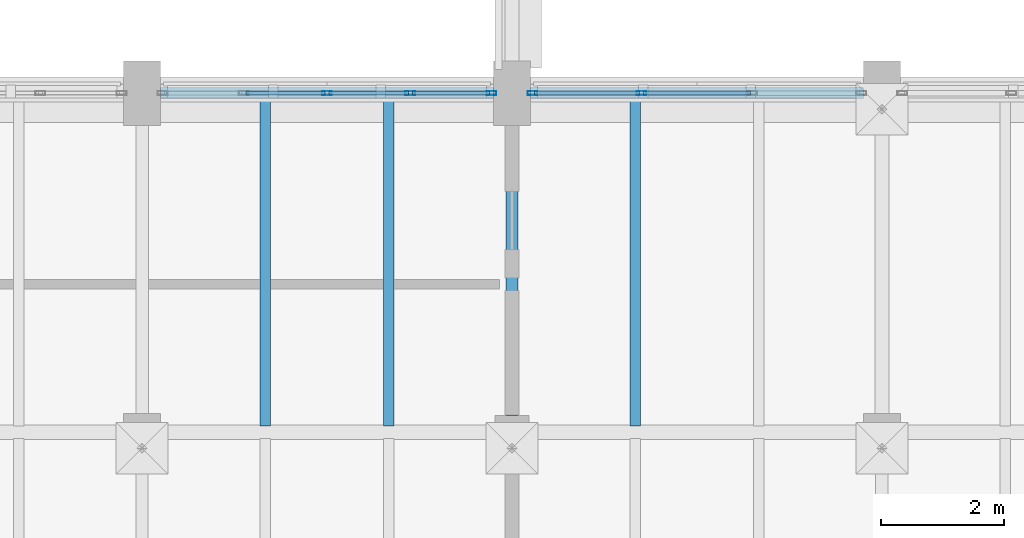
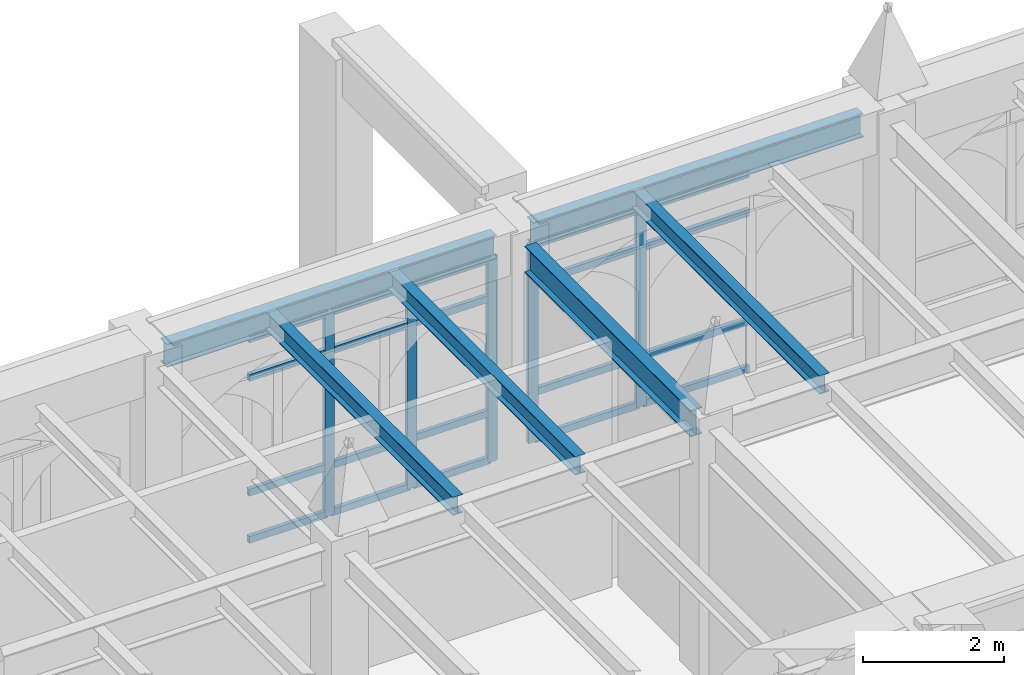
# One storey, part 58 of 143: 25 members, 6 beams, 2 elements without a shape of their own.
"""IFC4 building model written with IfcOpenShell, lengths in metres."""

from ifc_helpers import new_model, si_unit, direction, frame, origin, origin_2d, place, context, subcontext, project, spatial, hollow_rectangle, i_section, extrude, material, layer, layer_set, material_profile, profile_set, type_object, element, aggregate, save


model = new_model("IFC4")

# Units and contexts
model_context = context("Model", 3, precision=1e-05, world=origin(), true_north=direction((0.0, 1.0)))
body_context = subcontext(model_context, "Body", "Model", "MODEL_VIEW")
ifc_project = project(units=[si_unit("LENGTHUNIT", "METRE"), si_unit("AREAUNIT", "SQUARE_METRE"), si_unit("VOLUMEUNIT", "CUBIC_METRE"), si_unit("PLANEANGLEUNIT", "RADIAN"), si_unit("MASSUNIT", "GRAM", prefix="KILO")], contexts=[model_context])

# Site, building, storey
site_placement = place(None, origin())
site = spatial("IfcSite", under=ifc_project, at=site_placement, CompositionType="ELEMENT")
building_placement = place(site_placement, origin())
building = spatial("IfcBuilding", under=site, at=building_placement, Name="Cumevento Cable Car Station", CompositionType="ELEMENT")
storey_placement = place(building_placement, frame((0.0, 0.0, 9.0)))
storey = spatial("IfcBuildingStorey", under=building, at=storey_placement, Name="L03", CompositionType="ELEMENT", Elevation=9.0)

# Curtain wall, members
ifc_material_1 = material(Name="Anodised Bronze Aluminium AW-6063-T6", Category="aluminium")
ifc_layer_1 = layer(ifc_material_1, 0.22607421875)
ifc_layer_set_1 = layer_set([ifc_layer_1], Name="Anodised Bronze Aluminium AW-6063-T6")
curtain_wall_type_1 = type_object("IfcCurtainWallType", Name="Lancet Curtain Wall CW-12 1490", PredefinedType="NOTDEFINED", material=ifc_layer_set_1)
curtain_wall_1_placement = place(storey_placement, origin())
curtain_wall_1 = element("IfcCurtainWall", 1, at=curtain_wall_1_placement, inside=storey, type_object=curtain_wall_type_1, Name="Lancet Curtain Wall CW-12 L03 #107", PredefinedType="NOTDEFINED")
ifc_material_2 = material(Name="Anodised Bronze Aluminium AW-6063-T6", Category="aluminium")
ifc_material_profile_1 = material_profile(ifc_material_2, hollow_rectangle(XDim=0.06494140625, YDim=0.159912109375, WallThickness=0.00390625, at=origin_2d()), Name="ALUM65x160x4")
ifc_profile_set_1 = profile_set([ifc_material_profile_1], Name="Anodised Bronze Aluminium AW-6063-T6")
member_type_1 = type_object("IfcMemberType", Name="Curtain Mullion CWM-01 ALUM65x160x4", PredefinedType="MULLION", material=ifc_profile_set_1)
member_1_placement = place(storey_placement, frame((85.0, 56.5, 0.31005859375), z_axis=(0.0, 0.0, 1.0), x_axis=(0.0, 1.0, 0.0)))
member_1 = element("IfcMember", 2, at=member_1_placement, type_object=member_type_1, Name="CW-12 mullion 3", PredefinedType="MULLION", context=body_context, shape_type="SweptSolid", body=[
    extrude(hollow_rectangle(XDim=0.06494140625, YDim=0.159912109375, WallThickness=0.00390625, at=origin_2d()), origin(), (0.0, 0.0, 1.0), 3.534912109375),
])
member_2_placement = place(storey_placement, frame((86.35009765625, 56.5, 0.31005859375), z_axis=(0.0, 0.0, 1.0), x_axis=(0.0, 1.0, 0.0)))
member_2 = element("IfcMember", 3, at=member_2_placement, type_object=member_type_1, Name="CW-12 mullion 4", PredefinedType="MULLION", context=body_context, shape_type="SweptSolid", body=[
    extrude(hollow_rectangle(XDim=0.06494140625, YDim=0.159912109375, WallThickness=0.00390625, at=origin_2d()), origin(), (0.0, 0.0, 1.0), 3.534912109375),
])
member_3_placement = place(storey_placement, frame((87.66748046875, 56.5, 0.31005859375), z_axis=(0.0, 0.0, 1.0), x_axis=(0.0, 1.0, 0.0)))
member_3 = element("IfcMember", 4, at=member_3_placement, type_object=member_type_1, Name="CW-12 mullion 5", PredefinedType="MULLION", context=body_context, shape_type="SweptSolid", body=[
    extrude(hollow_rectangle(XDim=0.06494140625, YDim=0.159912109375, WallThickness=0.00390625, at=origin_2d()), origin(), (0.0, 0.0, 1.0), 3.534912109375),
])

ifc_material_3 = material(Name="Anodised Bronze Aluminium AW-6063-T6", Category="aluminium")
ifc_layer_2 = layer(ifc_material_3, 0.238037109375)
ifc_layer_set_2 = layer_set([ifc_layer_2], Name="Anodised Bronze Aluminium AW-6063-T6")
curtain_wall_type_2 = type_object("IfcCurtainWallType", Name="Lancet Curtain Wall CW-14 1570", PredefinedType="NOTDEFINED", material=ifc_layer_set_2)
curtain_wall_2_placement = place(storey_placement, origin())
curtain_wall_2 = element("IfcCurtainWall", 5, at=curtain_wall_2_placement, inside=storey, type_object=curtain_wall_type_2, Name="Lancet Curtain Wall CW-14 L03 #109", PredefinedType="NOTDEFINED")
member_4_placement = place(storey_placement, frame((88.33251953125, 56.5, 0.409912109375), z_axis=(0.0, 0.0, 1.0), x_axis=(0.0, 1.0, 0.0)))
member_4 = element("IfcMember", 6, at=member_4_placement, type_object=member_type_1, Name="CW-14 mullion 1", PredefinedType="MULLION", context=body_context, shape_type="SweptSolid", body=[
    extrude(hollow_rectangle(XDim=0.06494140625, YDim=0.159912109375, WallThickness=0.00390625, at=origin_2d()), origin(), (0.0, 0.0, 1.0), 3.43505859375),
])
member_5_placement = place(storey_placement, frame((90.10009765625, 56.5, 0.409912109375), z_axis=(0.0, 0.0, 1.0), x_axis=(0.0, 1.0, 0.0)))
member_5 = element("IfcMember", 7, at=member_5_placement, type_object=member_type_1, Name="CW-14 mullion 2", PredefinedType="MULLION", context=body_context, shape_type="SweptSolid", body=[
    extrude(hollow_rectangle(XDim=0.06494140625, YDim=0.159912109375, WallThickness=0.00390625, at=origin_2d()), origin(), (0.0, 0.0, 1.0), 3.43505859375),
])

# Member
ifc_material_4 = material(Name="Anodised Bronze Aluminium AW-6063-T6", Category="aluminium")
ifc_material_profile_2 = material_profile(ifc_material_4, hollow_rectangle(XDim=0.06494140625, YDim=0.1201171875, WallThickness=0.00390625, at=origin_2d()), Name="ALUT65x120x4")
ifc_profile_set_2 = profile_set([ifc_material_profile_2], Name="Anodised Bronze Aluminium AW-6063-T6")
member_type_2 = type_object("IfcMemberType", Name="Curtain Transom CWT-01 ALUT65x120x4", PredefinedType="USERDEFINED", material=ifc_profile_set_2)
member_6_placement = place(storey_placement, frame((83.6826171875, 56.5, 0.342529296875), z_axis=(1.0, 0.0, 0.0), x_axis=(0.0, 1.0, 0.0)))
member_6 = element("IfcMember", 8, at=member_6_placement, type_object=member_type_2, Name="CW-12 transom 2.1", ObjectType="TRANSOM", PredefinedType="USERDEFINED", context=body_context, shape_type="SweptSolid", body=[
    extrude(hollow_rectangle(XDim=0.06494140625, YDim=0.1201171875, WallThickness=0.00390625, at=origin_2d()), origin(), (0.0, 0.0, 1.0), 1.284912109375),
])

member_7_placement = place(storey_placement, frame((83.6826171875, 56.5, 1.159912109375), z_axis=(1.0, 0.0, 0.0), x_axis=(0.0, 1.0, 0.0)))
member_7 = element("IfcMember", 9, at=member_7_placement, type_object=member_type_2, Name="CW-12 transom 2.2", ObjectType="TRANSOM", PredefinedType="USERDEFINED", context=body_context, shape_type="SweptSolid", body=[
    extrude(hollow_rectangle(XDim=0.06494140625, YDim=0.1201171875, WallThickness=0.00390625, at=origin_2d()), origin(), (0.0, 0.0, 1.0), 1.284912109375),
])

member_8_placement = place(storey_placement, frame((83.6826171875, 56.5, 3.14501953125), z_axis=(1.0, 0.0, 0.0), x_axis=(0.0, 1.0, 0.0)))
member_8 = element("IfcMember", 10, at=member_8_placement, type_object=member_type_2, Name="CW-12 transom 2.3", ObjectType="TRANSOM", PredefinedType="USERDEFINED", context=body_context, shape_type="SweptSolid", body=[
    extrude(hollow_rectangle(XDim=0.06494140625, YDim=0.1201171875, WallThickness=0.00390625, at=origin_2d()), origin(), (0.0, 0.0, 1.0), 1.284912109375),
])

member_9_placement = place(storey_placement, frame((83.6826171875, 56.5, 3.8125), z_axis=(1.0, 0.0, 0.0), x_axis=(0.0, 1.0, 0.0)))
member_9 = element("IfcMember", 11, at=member_9_placement, type_object=member_type_2, Name="CW-12 transom 2.4", ObjectType="TRANSOM", PredefinedType="USERDEFINED", context=body_context, shape_type="SweptSolid", body=[
    extrude(hollow_rectangle(XDim=0.06494140625, YDim=0.1201171875, WallThickness=0.00390625, at=origin_2d()), origin(), (0.0, 0.0, 1.0), 1.284912109375),
])

member_10_placement = place(storey_placement, frame((85.032470703125, 56.5, 0.342529296875), z_axis=(1.0, 0.0, 0.0), x_axis=(0.0, 1.0, 0.0)))
member_10 = element("IfcMember", 12, at=member_10_placement, type_object=member_type_2, Name="CW-12 transom 3.1", ObjectType="TRANSOM", PredefinedType="USERDEFINED", context=body_context, shape_type="SweptSolid", body=[
    extrude(hollow_rectangle(XDim=0.06494140625, YDim=0.1201171875, WallThickness=0.00390625, at=origin_2d()), origin(), (0.0, 0.0, 1.0), 1.284912109375),
])

member_11_placement = place(storey_placement, frame((85.032470703125, 56.5, 1.159912109375), z_axis=(1.0, 0.0, 0.0), x_axis=(0.0, 1.0, 0.0)))
member_11 = element("IfcMember", 13, at=member_11_placement, type_object=member_type_2, Name="CW-12 transom 3.2", ObjectType="TRANSOM", PredefinedType="USERDEFINED", context=body_context, shape_type="SweptSolid", body=[
    extrude(hollow_rectangle(XDim=0.06494140625, YDim=0.1201171875, WallThickness=0.00390625, at=origin_2d()), origin(), (0.0, 0.0, 1.0), 1.284912109375),
])

member_12_placement = place(storey_placement, frame((85.032470703125, 56.5, 3.14501953125), z_axis=(1.0, 0.0, 0.0), x_axis=(0.0, 1.0, 0.0)))
member_12 = element("IfcMember", 14, at=member_12_placement, type_object=member_type_2, Name="CW-12 transom 3.3", ObjectType="TRANSOM", PredefinedType="USERDEFINED", context=body_context, shape_type="SweptSolid", body=[
    extrude(hollow_rectangle(XDim=0.06494140625, YDim=0.1201171875, WallThickness=0.00390625, at=origin_2d()), origin(), (0.0, 0.0, 1.0), 1.284912109375),
])

member_13_placement = place(storey_placement, frame((85.032470703125, 56.5, 3.8125), z_axis=(1.0, 0.0, 0.0), x_axis=(0.0, 1.0, 0.0)))
member_13 = element("IfcMember", 15, at=member_13_placement, type_object=member_type_2, Name="CW-12 transom 3.4", ObjectType="TRANSOM", PredefinedType="USERDEFINED", context=body_context, shape_type="SweptSolid", body=[
    extrude(hollow_rectangle(XDim=0.06494140625, YDim=0.1201171875, WallThickness=0.00390625, at=origin_2d()), origin(), (0.0, 0.0, 1.0), 1.284912109375),
])

member_14_placement = place(storey_placement, frame((86.382568359375, 56.5, 0.342529296875), z_axis=(1.0, 0.0, 0.0), x_axis=(0.0, 1.0, 0.0)))
member_14 = element("IfcMember", 16, at=member_14_placement, type_object=member_type_2, Name="CW-12 transom 4.1", ObjectType="TRANSOM", PredefinedType="USERDEFINED", context=body_context, shape_type="SweptSolid", body=[
    extrude(hollow_rectangle(XDim=0.06494140625, YDim=0.1201171875, WallThickness=0.00390625, at=origin_2d()), origin(), (0.0, 0.0, 1.0), 1.25244140625),
])

member_15_placement = place(storey_placement, frame((86.382568359375, 56.5, 1.159912109375), z_axis=(1.0, 0.0, 0.0), x_axis=(0.0, 1.0, 0.0)))
member_15 = element("IfcMember", 17, at=member_15_placement, type_object=member_type_2, Name="CW-12 transom 4.2", ObjectType="TRANSOM", PredefinedType="USERDEFINED", context=body_context, shape_type="SweptSolid", body=[
    extrude(hollow_rectangle(XDim=0.06494140625, YDim=0.1201171875, WallThickness=0.00390625, at=origin_2d()), origin(), (0.0, 0.0, 1.0), 1.25244140625),
])

member_16_placement = place(storey_placement, frame((86.382568359375, 56.5, 3.14501953125), z_axis=(1.0, 0.0, 0.0), x_axis=(0.0, 1.0, 0.0)))
member_16 = element("IfcMember", 18, at=member_16_placement, type_object=member_type_2, Name="CW-12 transom 4.3", ObjectType="TRANSOM", PredefinedType="USERDEFINED", context=body_context, shape_type="SweptSolid", body=[
    extrude(hollow_rectangle(XDim=0.06494140625, YDim=0.1201171875, WallThickness=0.00390625, at=origin_2d()), origin(), (0.0, 0.0, 1.0), 1.25244140625),
])

member_17_placement = place(storey_placement, frame((86.382568359375, 56.5, 3.8125), z_axis=(1.0, 0.0, 0.0), x_axis=(0.0, 1.0, 0.0)))
member_17 = element("IfcMember", 19, at=member_17_placement, type_object=member_type_2, Name="CW-12 transom 4.4", ObjectType="TRANSOM", PredefinedType="USERDEFINED", context=body_context, shape_type="SweptSolid", body=[
    extrude(hollow_rectangle(XDim=0.06494140625, YDim=0.1201171875, WallThickness=0.00390625, at=origin_2d()), origin(), (0.0, 0.0, 1.0), 1.25244140625),
])

aggregate(curtain_wall_1, [member_1, member_2, member_3, member_6, member_7, member_8, member_9, member_10, member_11, member_12, member_13, member_14, member_15, member_16, member_17])

member_18_placement = place(storey_placement, frame((88.364990234375, 56.5, 0.4423828125), z_axis=(1.0, 0.0, 0.0), x_axis=(0.0, 1.0, 0.0)))
member_18 = element("IfcMember", 20, at=member_18_placement, type_object=member_type_2, Name="CW-14 transom 1.1", ObjectType="TRANSOM", PredefinedType="USERDEFINED", context=body_context, shape_type="SweptSolid", body=[
    extrude(hollow_rectangle(XDim=0.06494140625, YDim=0.1201171875, WallThickness=0.00390625, at=origin_2d()), origin(), (0.0, 0.0, 1.0), 1.702392578125),
])

member_19_placement = place(storey_placement, frame((88.364990234375, 56.5, 1.260009765625), z_axis=(1.0, 0.0, 0.0), x_axis=(0.0, 1.0, 0.0)))
member_19 = element("IfcMember", 21, at=member_19_placement, type_object=member_type_2, Name="CW-14 transom 1.2", ObjectType="TRANSOM", PredefinedType="USERDEFINED", context=body_context, shape_type="SweptSolid", body=[
    extrude(hollow_rectangle(XDim=0.06494140625, YDim=0.1201171875, WallThickness=0.00390625, at=origin_2d()), origin(), (0.0, 0.0, 1.0), 1.702392578125),
])

member_20_placement = place(storey_placement, frame((88.364990234375, 56.5, 3.14501953125), z_axis=(1.0, 0.0, 0.0), x_axis=(0.0, 1.0, 0.0)))
member_20 = element("IfcMember", 22, at=member_20_placement, type_object=member_type_2, Name="CW-14 transom 1.3", ObjectType="TRANSOM", PredefinedType="USERDEFINED", context=body_context, shape_type="SweptSolid", body=[
    extrude(hollow_rectangle(XDim=0.06494140625, YDim=0.1201171875, WallThickness=0.00390625, at=origin_2d()), origin(), (0.0, 0.0, 1.0), 1.702392578125),
])

member_21_placement = place(storey_placement, frame((88.364990234375, 56.5, 3.8125), z_axis=(1.0, 0.0, 0.0), x_axis=(0.0, 1.0, 0.0)))
member_21 = element("IfcMember", 23, at=member_21_placement, type_object=member_type_2, Name="CW-14 transom 1.4", ObjectType="TRANSOM", PredefinedType="USERDEFINED", context=body_context, shape_type="SweptSolid", body=[
    extrude(hollow_rectangle(XDim=0.06494140625, YDim=0.1201171875, WallThickness=0.00390625, at=origin_2d()), origin(), (0.0, 0.0, 1.0), 1.702392578125),
])

member_22_placement = place(storey_placement, frame((90.132568359375, 56.5, 0.4423828125), z_axis=(1.0, 0.0, 0.0), x_axis=(0.0, 1.0, 0.0)))
member_22 = element("IfcMember", 24, at=member_22_placement, type_object=member_type_2, Name="CW-14 transom 2.1", ObjectType="TRANSOM", PredefinedType="USERDEFINED", context=body_context, shape_type="SweptSolid", body=[
    extrude(hollow_rectangle(XDim=0.06494140625, YDim=0.1201171875, WallThickness=0.00390625, at=origin_2d()), origin(), (0.0, 0.0, 1.0), 1.73486328125),
])

member_23_placement = place(storey_placement, frame((90.132568359375, 56.5, 1.260009765625), z_axis=(1.0, 0.0, 0.0), x_axis=(0.0, 1.0, 0.0)))
member_23 = element("IfcMember", 25, at=member_23_placement, type_object=member_type_2, Name="CW-14 transom 2.2", ObjectType="TRANSOM", PredefinedType="USERDEFINED", context=body_context, shape_type="SweptSolid", body=[
    extrude(hollow_rectangle(XDim=0.06494140625, YDim=0.1201171875, WallThickness=0.00390625, at=origin_2d()), origin(), (0.0, 0.0, 1.0), 1.73486328125),
])

member_24_placement = place(storey_placement, frame((90.132568359375, 56.5, 3.14501953125), z_axis=(1.0, 0.0, 0.0), x_axis=(0.0, 1.0, 0.0)))
member_24 = element("IfcMember", 26, at=member_24_placement, type_object=member_type_2, Name="CW-14 transom 2.3", ObjectType="TRANSOM", PredefinedType="USERDEFINED", context=body_context, shape_type="SweptSolid", body=[
    extrude(hollow_rectangle(XDim=0.06494140625, YDim=0.1201171875, WallThickness=0.00390625, at=origin_2d()), origin(), (0.0, 0.0, 1.0), 1.73486328125),
])

member_25_placement = place(storey_placement, frame((90.132568359375, 56.5, 3.8125), z_axis=(1.0, 0.0, 0.0), x_axis=(0.0, 1.0, 0.0)))
member_25 = element("IfcMember", 27, at=member_25_placement, type_object=member_type_2, Name="CW-14 transom 2.4", ObjectType="TRANSOM", PredefinedType="USERDEFINED", context=body_context, shape_type="SweptSolid", body=[
    extrude(hollow_rectangle(XDim=0.06494140625, YDim=0.1201171875, WallThickness=0.00390625, at=origin_2d()), origin(), (0.0, 0.0, 1.0), 1.73486328125),
])

aggregate(curtain_wall_2, [member_4, member_5, member_18, member_19, member_20, member_21, member_22, member_23, member_24, member_25])

# Beams
ifc_material_5 = material(Name="Steel ASTM A572 Grade 50", Category="steel")
ifc_material_profile_3 = material_profile(ifc_material_5, i_section(OverallWidth=0.18994140625, OverallDepth=0.45703125, WebThickness=0.009033203125, FlangeThickness=0.014404296875, at=origin_2d()), Name="W460x74.0")
ifc_profile_set_3 = profile_set([ifc_material_profile_3], Name="Steel ASTM A572 Grade 50")
beam_type_1 = type_object("IfcBeamType", Name="Structural Beam BM-04 W460x74.0", PredefinedType="BEAM", material=ifc_profile_set_3)
beam_placement = place(storey_placement, frame((88.0, 51.27490234375, 4.0234375), z_axis=(0.0, 1.0, 0.0), x_axis=(-1.0, 0.0, 0.0)))
element("IfcBeam", 28, at=beam_placement, inside=storey, type_object=beam_type_1, Name="Beam BM-04 L03 #1082", PredefinedType="BEAM", context=body_context, shape_type="SweptSolid", body=[
    extrude(i_section(OverallWidth=0.18994140625, OverallDepth=0.45703125, WebThickness=0.009033203125, FlangeThickness=0.014404296875, at=origin_2d()), origin(), (0.0, 0.0, 1.0), 4.7001953125),
])
ifc_material_6 = material(Name="Steel ASTM A572 Grade 50", Category="steel")
ifc_material_profile_4 = material_profile(ifc_material_6, i_section(OverallWidth=0.1669921875, OverallDepth=0.31689453125, WebThickness=0.007568359375, FlangeThickness=0.01318359375, at=origin_2d()), Name="W310x52.0")
ifc_profile_set_4 = profile_set([ifc_material_profile_4], Name="Steel ASTM A572 Grade 50")
beam_type_2 = type_object("IfcBeamType", Name="Structural Joist JS-02 W310x52.0", PredefinedType="JOIST", material=ifc_profile_set_4)
for number, where, z_axis, x_axis, name in (
    (29, (84.0, 51.10302734375, 4.093505859375), (0.0, 1.0, 0.0), (-1.0, 0.0, 0.0), "Composite Floor Joist JS-02 L03 #1261"),
    (30, (86.0, 51.10302734375, 4.093505859375), (0.0, 1.0, 0.0), (-1.0, 0.0, 0.0), "Composite Floor Joist JS-02 L03 #1263"),
    (31, (90.0, 51.10302734375, 4.093505859375), (0.0, 1.0, 0.0), (-1.0, 0.0, 0.0), "Composite Floor Joist JS-02 L03 #1265"),
):
    element("IfcBeam", number, at=place(storey_placement, frame(where, z_axis=z_axis, x_axis=x_axis)), inside=storey, type_object=beam_type_2, Name=name, PredefinedType="JOIST", context=body_context, shape_type="SweptSolid", body=[
        extrude(i_section(OverallWidth=0.1669921875, OverallDepth=0.31689453125, WebThickness=0.007568359375, FlangeThickness=0.01318359375, at=origin_2d()), origin(), (0.0, 0.0, 1.0), 5.320068359375),
    ])
ifc_material_7 = material(Name="Steel ASTM A572 Grade 50", Category="steel")
ifc_material_profile_5 = material_profile(ifc_material_7, i_section(OverallWidth=0.177978515625, OverallDepth=0.406982421875, WebThickness=0.0078125, FlangeThickness=0.0126953125, at=origin_2d()), Name="W410x60.0")
ifc_profile_set_5 = profile_set([ifc_material_profile_5], Name="Steel ASTM A572 Grade 50")
beam_type_3 = type_object("IfcBeamType", Name="Structural Spandrel SP-01 W410x60.0", PredefinedType="SPANDREL", material=ifc_profile_set_5)
for number, where, z_axis, x_axis, name in (
    (32, (82.300048828125, 56.5, 4.048583984375), (1.0, 0.0, 0.0), (0.0, 1.0, 0.0), "Beam SP-01 L03 #1074"),
    (33, (88.300048828125, 56.5, 4.048583984375), (1.0, 0.0, 0.0), (0.0, 1.0, 0.0), "Beam SP-01 L03 #1093"),
):
    element("IfcBeam", number, at=place(storey_placement, frame(where, z_axis=z_axis, x_axis=x_axis)), inside=storey, type_object=beam_type_3, Name=name, PredefinedType="SPANDREL", context=body_context, shape_type="SweptSolid", body=[
        extrude(i_section(OverallWidth=0.177978515625, OverallDepth=0.406982421875, WebThickness=0.0078125, FlangeThickness=0.0126953125, at=origin_2d()), origin(), (0.0, 0.0, 1.0), 5.39990234375),
    ])

save(model, "model.ifc")
